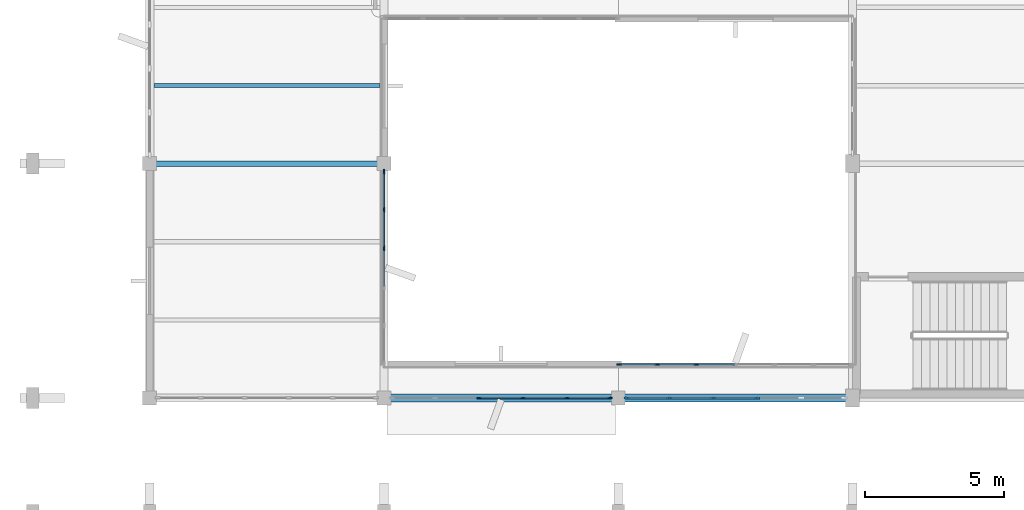
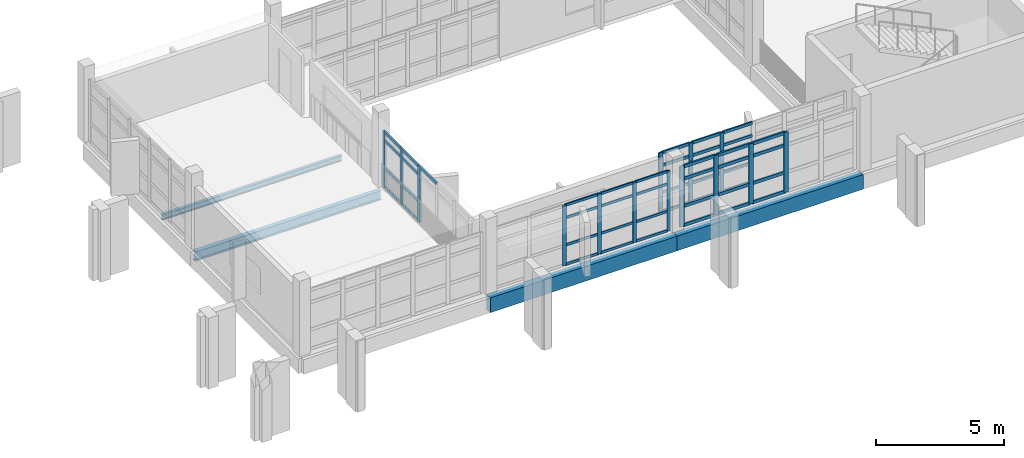
# One storey, part 7 of 104: 59 members, 4 beams, 4 elements without a shape of their own.
"""IFC4 building model written with IfcOpenShell, lengths in metres."""

from ifc_helpers import new_model, si_unit, direction, frame, origin, origin_2d, place, context, subcontext, project, spatial, rectangle, i_section, extrude, material, material_profile, profile_set, type_object, element, aggregate, save


model = new_model("IFC4")

# Units and contexts
model_context = context("Model", 3, precision=1e-05, world=origin(), true_north=direction((0.0, 1.0)))
body_context = subcontext(model_context, "Body", "Model", "MODEL_VIEW")
ifc_project = project(units=[si_unit("LENGTHUNIT", "METRE"), si_unit("AREAUNIT", "SQUARE_METRE"), si_unit("VOLUMEUNIT", "CUBIC_METRE"), si_unit("PLANEANGLEUNIT", "RADIAN"), si_unit("MASSUNIT", "GRAM", prefix="KILO")], contexts=[model_context])

# Site, building, storey
site_placement = place(None, origin())
site = spatial("IfcSite", under=ifc_project, at=site_placement, CompositionType="ELEMENT")
building_placement = place(site_placement, origin())
building = spatial("IfcBuilding", under=site, at=building_placement, Name="Vanh Quang Courtyard School", CompositionType="ELEMENT")
storey_placement = place(building_placement, frame((0.0, 0.0, 4.199951171875)))
storey = spatial("IfcBuildingStorey", under=building, at=storey_placement, Name="L01", CompositionType="ELEMENT", Elevation=4.199951171875)

# Beams
ifc_material_1 = material(Name="Concrete C35/45", Category="concrete")
ifc_material_profile_1 = material_profile(ifc_material_1, rectangle(XDim=0.300048828125, YDim=0.699951171875, at=origin_2d()), Name="RC-SP 300x700")
ifc_profile_set_1 = profile_set([ifc_material_profile_1], Name="Concrete C35/45")
beam_type_1 = type_object("IfcBeamType", Name="BM-SP-300x700", PredefinedType="SPANDREL", material=ifc_profile_set_1)
for number, where, z_axis, x_axis, name in (
    (1, (12.60009765625, 4.199951171875, -0.6298828125), (1.0, 0.0, 0.0), (0.0, 1.0, 0.0), "Beam BS-01 (L01)"),
    (2, (21.0, 4.199951171875, -0.6298828125), (1.0, 0.0, 0.0), (0.0, 1.0, 0.0), "Beam BS-01 (L01)"),
):
    element("IfcBeam", number, at=place(storey_placement, frame(where, z_axis=z_axis, x_axis=x_axis)), inside=storey, type_object=beam_type_1, Name=name, PredefinedType="SPANDREL", context=body_context, shape_type="SweptSolid", body=[
        extrude(rectangle(XDim=0.300048828125, YDim=0.699951171875, at=origin_2d()), origin(), (0.0, 0.0, 1.0), 8.39990234375),
    ])
ifc_material_2 = material(Name="Structural steel EN 10025-2 S355J2", Category="steel")
ifc_material_profile_2 = material_profile(ifc_material_2, i_section(OverallWidth=0.18994140625, OverallDepth=0.449951171875, WebThickness=0.009521484375, FlangeThickness=0.0146484375, FilletRadius=0.02099609375, at=origin_2d()), Name="IPE 450")
ifc_profile_set_2 = profile_set([ifc_material_profile_2], Name="Structural steel EN 10025-2 S355J2")
beam_type_2 = type_object("IfcBeamType", Name="BM-STL-IPE450", PredefinedType="BEAM", material=ifc_profile_set_2)
beam_1_placement = place(storey_placement, frame((4.199951171875, 12.60009765625, -0.5048828125), z_axis=(1.0, 0.0, 0.0), x_axis=(0.0, 1.0, 0.0)))
element("IfcBeam", 3, at=beam_1_placement, inside=storey, type_object=beam_type_2, Name="Beam SB-04 (L01)", PredefinedType="BEAM", context=body_context, shape_type="SweptSolid", body=[
    extrude(i_section(OverallWidth=0.18994140625, OverallDepth=0.449951171875, WebThickness=0.009521484375, FlangeThickness=0.0146484375, FilletRadius=0.02099609375, at=origin_2d()), origin(), (0.0, 0.0, 1.0), 8.400146484375),
])

# Curtain wall, members
ifc_material_3 = material(Name="Thermally broken aluminium unitised curtain wall", Category="aluminium")
curtain_wall_type_1 = type_object("IfcCurtainWallType", Name="CW-SYS-29", PredefinedType="NOTDEFINED", material=ifc_material_3)
curtain_wall_1_placement = place(storey_placement, origin())
curtain_wall_1 = element("IfcCurtainWall", 4, at=curtain_wall_1_placement, inside=storey, type_object=curtain_wall_type_1, Name="Curtain Wall CW-29 (L01)", PredefinedType="NOTDEFINED")
ifc_material_4 = material(Name="Anodised aluminium 6063-T6", Category="aluminium")
ifc_material_profile_3 = material_profile(ifc_material_4, rectangle(XDim=0.06005859375, YDim=0.159912109375, at=origin_2d()), Name="ALU-MUL 60x160")
ifc_profile_set_3 = profile_set([ifc_material_profile_3], Name="Anodised aluminium 6063-T6")
member_type_1 = type_object("IfcMemberType", Name="CW-MUL-60x160", PredefinedType="MULLION", material=ifc_profile_set_3)
member_1_placement = place(storey_placement, frame((20.7119140625, 4.199951171875, 0.0), z_axis=(0.0, 0.0, 1.0), x_axis=(0.0, -1.0, 0.0)))
member_1 = element("IfcMember", 5, at=member_1_placement, type_object=member_type_1, Name="CW-29 mullion 1", PredefinedType="MULLION", context=body_context, shape_type="SweptSolid", body=[
    extrude(rectangle(XDim=0.06005859375, YDim=0.159912109375, at=origin_2d()), origin(), (0.0, 0.0, 1.0), 2.8701171875),
])
member_2_placement = place(storey_placement, frame((19.165283203125, 4.199951171875, 0.0), z_axis=(0.0, 0.0, 1.0), x_axis=(0.0, -1.0, 0.0)))
member_2 = element("IfcMember", 6, at=member_2_placement, type_object=member_type_1, Name="CW-29 mullion 2", PredefinedType="MULLION", context=body_context, shape_type="SweptSolid", body=[
    extrude(rectangle(XDim=0.06005859375, YDim=0.159912109375, at=origin_2d()), origin(), (0.0, 0.0, 1.0), 2.8701171875),
])
member_3_placement = place(storey_placement, frame((17.58837890625, 4.199951171875, 0.0), z_axis=(0.0, 0.0, 1.0), x_axis=(0.0, -1.0, 0.0)))
member_3 = element("IfcMember", 7, at=member_3_placement, type_object=member_type_1, Name="CW-29 mullion 3", PredefinedType="MULLION", context=body_context, shape_type="SweptSolid", body=[
    extrude(rectangle(XDim=0.06005859375, YDim=0.159912109375, at=origin_2d()), origin(), (0.0, 0.0, 1.0), 2.8701171875),
])
member_4_placement = place(storey_placement, frame((16.01171875, 4.199951171875, 0.0), z_axis=(0.0, 0.0, 1.0), x_axis=(0.0, -1.0, 0.0)))
member_4 = element("IfcMember", 8, at=member_4_placement, type_object=member_type_1, Name="CW-29 mullion 4", PredefinedType="MULLION", context=body_context, shape_type="SweptSolid", body=[
    extrude(rectangle(XDim=0.06005859375, YDim=0.159912109375, at=origin_2d()), origin(), (0.0, 0.0, 1.0), 2.8701171875),
])

curtain_wall_type_2 = type_object("IfcCurtainWallType", Name="CW-SYS-31", PredefinedType="NOTDEFINED", material=ifc_material_3)
curtain_wall_2_placement = place(storey_placement, origin())
curtain_wall_2 = element("IfcCurtainWall", 9, at=curtain_wall_2_placement, inside=storey, type_object=curtain_wall_type_2, Name="Curtain Wall CW-31 (L01)", PredefinedType="NOTDEFINED")
ifc_material_profile_4 = material_profile(ifc_material_4, rectangle(XDim=0.070068359375, YDim=0.179931640625, at=origin_2d()), Name="ALU-MUL 70x180")
ifc_profile_set_4 = profile_set([ifc_material_profile_4], Name="Anodised aluminium 6063-T6")
member_type_2 = type_object("IfcMemberType", Name="CW-MUL-70x180", PredefinedType="MULLION", material=ifc_profile_set_4)
member_5_placement = place(storey_placement, frame((21.034912109375, 5.39990234375, 0.0), z_axis=(0.0, 0.0, 1.0), x_axis=(0.0, 1.0, 0.0)))
member_5 = element("IfcMember", 10, at=member_5_placement, type_object=member_type_2, Name="CW-31 mullion 1", PredefinedType="MULLION", context=body_context, shape_type="SweptSolid", body=[
    extrude(rectangle(XDim=0.070068359375, YDim=0.179931640625, at=origin_2d()), origin(), (0.0, 0.0, 1.0), 2.880126953125),
])
member_6_placement = place(storey_placement, frame((22.39990234375, 5.39990234375, 0.0), z_axis=(0.0, 0.0, 1.0), x_axis=(0.0, 1.0, 0.0)))
member_6 = element("IfcMember", 11, at=member_6_placement, type_object=member_type_2, Name="CW-31 mullion 2", PredefinedType="MULLION", context=body_context, shape_type="SweptSolid", body=[
    extrude(rectangle(XDim=0.070068359375, YDim=0.179931640625, at=origin_2d()), origin(), (0.0, 0.0, 1.0), 2.880126953125),
])
member_7_placement = place(storey_placement, frame((23.800048828125, 5.39990234375, 0.0), z_axis=(0.0, 0.0, 1.0), x_axis=(0.0, 1.0, 0.0)))
member_7 = element("IfcMember", 12, at=member_7_placement, type_object=member_type_2, Name="CW-31 mullion 3", PredefinedType="MULLION", context=body_context, shape_type="SweptSolid", body=[
    extrude(rectangle(XDim=0.070068359375, YDim=0.179931640625, at=origin_2d()), origin(), (0.0, 0.0, 1.0), 2.880126953125),
])

curtain_wall_type_3 = type_object("IfcCurtainWallType", Name="CW-SYS-34", PredefinedType="NOTDEFINED", material=ifc_material_3)
curtain_wall_3_placement = place(storey_placement, origin())
curtain_wall_3 = element("IfcCurtainWall", 13, at=curtain_wall_3_placement, inside=storey, type_object=curtain_wall_type_3, Name="Curtain Wall CW-34 (L01)", PredefinedType="NOTDEFINED")
member_8_placement = place(storey_placement, frame((12.60009765625, 12.306884765625, 0.0), z_axis=(0.0, 0.0, 1.0), x_axis=(1.0, 0.0, 0.0)))
member_8 = element("IfcMember", 14, at=member_8_placement, type_object=member_type_2, Name="CW-34 mullion 1", PredefinedType="MULLION", context=body_context, shape_type="SweptSolid", body=[
    extrude(rectangle(XDim=0.070068359375, YDim=0.179931640625, at=origin_2d()), origin(), (0.0, 0.0, 1.0), 2.670166015625),
])
member_9_placement = place(storey_placement, frame((12.60009765625, 10.95361328125, 0.0), z_axis=(0.0, 0.0, 1.0), x_axis=(1.0, 0.0, 0.0)))
member_9 = element("IfcMember", 15, at=member_9_placement, type_object=member_type_2, Name="CW-34 mullion 2", PredefinedType="MULLION", context=body_context, shape_type="SweptSolid", body=[
    extrude(rectangle(XDim=0.070068359375, YDim=0.179931640625, at=origin_2d()), origin(), (0.0, 0.0, 1.0), 2.670166015625),
])
member_10_placement = place(storey_placement, frame((12.60009765625, 9.565185546875, 0.0), z_axis=(0.0, 0.0, 1.0), x_axis=(1.0, 0.0, 0.0)))
member_10 = element("IfcMember", 16, at=member_10_placement, type_object=member_type_2, Name="CW-34 mullion 3", PredefinedType="MULLION", context=body_context, shape_type="SweptSolid", body=[
    extrude(rectangle(XDim=0.070068359375, YDim=0.179931640625, at=origin_2d()), origin(), (0.0, 0.0, 1.0), 2.670166015625),
])

curtain_wall_4_placement = place(storey_placement, origin())
curtain_wall_4 = element("IfcCurtainWall", 17, at=curtain_wall_4_placement, inside=storey, type_object=curtain_wall_type_1, Name="Curtain Wall CW-29 (L01)", PredefinedType="NOTDEFINED")
ifc_material_profile_5 = material_profile(ifc_material_4, rectangle(XDim=0.080078125, YDim=0.199951171875, at=origin_2d()), Name="ALU-MUL 80x200")
ifc_profile_set_5 = profile_set([ifc_material_profile_5], Name="Anodised aluminium 6063-T6")
member_type_3 = type_object("IfcMemberType", Name="CW-MUL-80x200", PredefinedType="MULLION", material=ifc_profile_set_5)
member_11_placement = place(storey_placement, frame((25.98828125, 4.199951171875, 0.0), z_axis=(0.0, 0.0, 1.0), x_axis=(0.0, -1.0, 0.0)))
member_11 = element("IfcMember", 18, at=member_11_placement, type_object=member_type_3, Name="CW-29 mullion 3", PredefinedType="MULLION", context=body_context, shape_type="SweptSolid", body=[
    extrude(rectangle(XDim=0.080078125, YDim=0.199951171875, at=origin_2d()), origin(), (0.0, 0.0, 1.0), 2.8701171875),
])
member_12_placement = place(storey_placement, frame((24.41162109375, 4.199951171875, 0.0), z_axis=(0.0, 0.0, 1.0), x_axis=(0.0, -1.0, 0.0)))
member_12 = element("IfcMember", 19, at=member_12_placement, type_object=member_type_3, Name="CW-29 mullion 4", PredefinedType="MULLION", context=body_context, shape_type="SweptSolid", body=[
    extrude(rectangle(XDim=0.080078125, YDim=0.199951171875, at=origin_2d()), origin(), (0.0, 0.0, 1.0), 2.8701171875),
])
member_13_placement = place(storey_placement, frame((22.834716796875, 4.199951171875, 0.0), z_axis=(0.0, 0.0, 1.0), x_axis=(0.0, -1.0, 0.0)))
member_13 = element("IfcMember", 20, at=member_13_placement, type_object=member_type_3, Name="CW-29 mullion 5", PredefinedType="MULLION", context=body_context, shape_type="SweptSolid", body=[
    extrude(rectangle(XDim=0.080078125, YDim=0.199951171875, at=origin_2d()), origin(), (0.0, 0.0, 1.0), 2.8701171875),
])
member_14_placement = place(storey_placement, frame((21.298095703125, 4.199951171875, 0.0), z_axis=(0.0, 0.0, 1.0), x_axis=(0.0, -1.0, 0.0)))
member_14 = element("IfcMember", 21, at=member_14_placement, type_object=member_type_3, Name="CW-29 mullion 6", PredefinedType="MULLION", context=body_context, shape_type="SweptSolid", body=[
    extrude(rectangle(XDim=0.080078125, YDim=0.199951171875, at=origin_2d()), origin(), (0.0, 0.0, 1.0), 2.8701171875),
])

# Member
ifc_material_profile_6 = material_profile(ifc_material_4, rectangle(XDim=0.06005859375, YDim=0.1201171875, at=origin_2d()), Name="ALU-TRN 60x120")
ifc_profile_set_6 = profile_set([ifc_material_profile_6], Name="Anodised aluminium 6063-T6")
member_type_4 = type_object("IfcMemberType", Name="CW-TRN-60x120", PredefinedType="USERDEFINED", material=ifc_profile_set_6)
member_15_placement = place(storey_placement, frame((20.681884765625, 4.199951171875, 0.030029296875), z_axis=(-1.0, 0.0, 0.0), x_axis=(0.0, -1.0, 0.0)))
member_15 = element("IfcMember", 22, at=member_15_placement, type_object=member_type_4, Name="CW-29 transom 1.1", ObjectType="TRANSOM", PredefinedType="USERDEFINED", context=body_context, shape_type="SweptSolid", body=[
    extrude(rectangle(XDim=0.06005859375, YDim=0.1201171875, at=origin_2d()), origin(), (0.0, 0.0, 1.0), 1.486572265625),
])

member_16_placement = place(storey_placement, frame((20.681884765625, 4.199951171875, 0.949951171875), z_axis=(-1.0, 0.0, 0.0), x_axis=(0.0, -1.0, 0.0)))
member_16 = element("IfcMember", 23, at=member_16_placement, type_object=member_type_4, Name="CW-29 transom 1.2", ObjectType="TRANSOM", PredefinedType="USERDEFINED", context=body_context, shape_type="SweptSolid", body=[
    extrude(rectangle(XDim=0.06005859375, YDim=0.1201171875, at=origin_2d()), origin(), (0.0, 0.0, 1.0), 1.486572265625),
])

member_17_placement = place(storey_placement, frame((20.681884765625, 4.199951171875, 2.25), z_axis=(-1.0, 0.0, 0.0), x_axis=(0.0, -1.0, 0.0)))
member_17 = element("IfcMember", 24, at=member_17_placement, type_object=member_type_4, Name="CW-29 transom 1.3", ObjectType="TRANSOM", PredefinedType="USERDEFINED", context=body_context, shape_type="SweptSolid", body=[
    extrude(rectangle(XDim=0.06005859375, YDim=0.1201171875, at=origin_2d()), origin(), (0.0, 0.0, 1.0), 1.486572265625),
])

member_18_placement = place(storey_placement, frame((20.681884765625, 4.199951171875, 2.840087890625), z_axis=(-1.0, 0.0, 0.0), x_axis=(0.0, -1.0, 0.0)))
member_18 = element("IfcMember", 25, at=member_18_placement, type_object=member_type_4, Name="CW-29 transom 1.4", ObjectType="TRANSOM", PredefinedType="USERDEFINED", context=body_context, shape_type="SweptSolid", body=[
    extrude(rectangle(XDim=0.06005859375, YDim=0.1201171875, at=origin_2d()), origin(), (0.0, 0.0, 1.0), 1.486572265625),
])

member_19_placement = place(storey_placement, frame((19.13525390625, 4.199951171875, 0.030029296875), z_axis=(-1.0, 0.0, 0.0), x_axis=(0.0, -1.0, 0.0)))
member_19 = element("IfcMember", 26, at=member_19_placement, type_object=member_type_4, Name="CW-29 transom 2.1", ObjectType="TRANSOM", PredefinedType="USERDEFINED", context=body_context, shape_type="SweptSolid", body=[
    extrude(rectangle(XDim=0.06005859375, YDim=0.1201171875, at=origin_2d()), origin(), (0.0, 0.0, 1.0), 1.516845703125),
])

member_20_placement = place(storey_placement, frame((19.13525390625, 4.199951171875, 0.949951171875), z_axis=(-1.0, 0.0, 0.0), x_axis=(0.0, -1.0, 0.0)))
member_20 = element("IfcMember", 27, at=member_20_placement, type_object=member_type_4, Name="CW-29 transom 2.2", ObjectType="TRANSOM", PredefinedType="USERDEFINED", context=body_context, shape_type="SweptSolid", body=[
    extrude(rectangle(XDim=0.06005859375, YDim=0.1201171875, at=origin_2d()), origin(), (0.0, 0.0, 1.0), 1.516845703125),
])

member_21_placement = place(storey_placement, frame((19.13525390625, 4.199951171875, 2.25), z_axis=(-1.0, 0.0, 0.0), x_axis=(0.0, -1.0, 0.0)))
member_21 = element("IfcMember", 28, at=member_21_placement, type_object=member_type_4, Name="CW-29 transom 2.3", ObjectType="TRANSOM", PredefinedType="USERDEFINED", context=body_context, shape_type="SweptSolid", body=[
    extrude(rectangle(XDim=0.06005859375, YDim=0.1201171875, at=origin_2d()), origin(), (0.0, 0.0, 1.0), 1.516845703125),
])

member_22_placement = place(storey_placement, frame((19.13525390625, 4.199951171875, 2.840087890625), z_axis=(-1.0, 0.0, 0.0), x_axis=(0.0, -1.0, 0.0)))
member_22 = element("IfcMember", 29, at=member_22_placement, type_object=member_type_4, Name="CW-29 transom 2.4", ObjectType="TRANSOM", PredefinedType="USERDEFINED", context=body_context, shape_type="SweptSolid", body=[
    extrude(rectangle(XDim=0.06005859375, YDim=0.1201171875, at=origin_2d()), origin(), (0.0, 0.0, 1.0), 1.516845703125),
])

member_23_placement = place(storey_placement, frame((17.558349609375, 4.199951171875, 0.030029296875), z_axis=(-1.0, 0.0, 0.0), x_axis=(0.0, -1.0, 0.0)))
member_23 = element("IfcMember", 30, at=member_23_placement, type_object=member_type_4, Name="CW-29 transom 3.1", ObjectType="TRANSOM", PredefinedType="USERDEFINED", context=body_context, shape_type="SweptSolid", body=[
    extrude(rectangle(XDim=0.06005859375, YDim=0.1201171875, at=origin_2d()), origin(), (0.0, 0.0, 1.0), 1.516845703125),
])

member_24_placement = place(storey_placement, frame((17.558349609375, 4.199951171875, 0.949951171875), z_axis=(-1.0, 0.0, 0.0), x_axis=(0.0, -1.0, 0.0)))
member_24 = element("IfcMember", 31, at=member_24_placement, type_object=member_type_4, Name="CW-29 transom 3.2", ObjectType="TRANSOM", PredefinedType="USERDEFINED", context=body_context, shape_type="SweptSolid", body=[
    extrude(rectangle(XDim=0.06005859375, YDim=0.1201171875, at=origin_2d()), origin(), (0.0, 0.0, 1.0), 1.516845703125),
])

member_25_placement = place(storey_placement, frame((17.558349609375, 4.199951171875, 2.25), z_axis=(-1.0, 0.0, 0.0), x_axis=(0.0, -1.0, 0.0)))
member_25 = element("IfcMember", 32, at=member_25_placement, type_object=member_type_4, Name="CW-29 transom 3.3", ObjectType="TRANSOM", PredefinedType="USERDEFINED", context=body_context, shape_type="SweptSolid", body=[
    extrude(rectangle(XDim=0.06005859375, YDim=0.1201171875, at=origin_2d()), origin(), (0.0, 0.0, 1.0), 1.516845703125),
])

member_26_placement = place(storey_placement, frame((17.558349609375, 4.199951171875, 2.840087890625), z_axis=(-1.0, 0.0, 0.0), x_axis=(0.0, -1.0, 0.0)))
member_26 = element("IfcMember", 33, at=member_26_placement, type_object=member_type_4, Name="CW-29 transom 3.4", ObjectType="TRANSOM", PredefinedType="USERDEFINED", context=body_context, shape_type="SweptSolid", body=[
    extrude(rectangle(XDim=0.06005859375, YDim=0.1201171875, at=origin_2d()), origin(), (0.0, 0.0, 1.0), 1.516845703125),
])

aggregate(curtain_wall_1, [member_1, member_2, member_3, member_4, member_15, member_16, member_17, member_18, member_19, member_20, member_21, member_22, member_23, member_24, member_25, member_26])

ifc_material_profile_7 = material_profile(ifc_material_4, rectangle(XDim=0.070068359375, YDim=0.139892578125, at=origin_2d()), Name="ALU-TRN 70x140")
ifc_profile_set_7 = profile_set([ifc_material_profile_7], Name="Anodised aluminium 6063-T6")
member_type_5 = type_object("IfcMemberType", Name="CW-TRN-70x140", PredefinedType="USERDEFINED", material=ifc_profile_set_7)
member_27_placement = place(storey_placement, frame((21.070068359375, 5.39990234375, 0.03515625), z_axis=(1.0, 0.0, 0.0), x_axis=(0.0, 1.0, 0.0)))
member_27 = element("IfcMember", 34, at=member_27_placement, type_object=member_type_5, Name="CW-31 transom 1.1", ObjectType="TRANSOM", PredefinedType="USERDEFINED", context=body_context, shape_type="SweptSolid", body=[
    extrude(rectangle(XDim=0.070068359375, YDim=0.139892578125, at=origin_2d()), origin(), (0.0, 0.0, 1.0), 1.294921875),
])

member_28_placement = place(storey_placement, frame((21.070068359375, 5.39990234375, 0.949951171875), z_axis=(1.0, 0.0, 0.0), x_axis=(0.0, 1.0, 0.0)))
member_28 = element("IfcMember", 35, at=member_28_placement, type_object=member_type_5, Name="CW-31 transom 1.2", ObjectType="TRANSOM", PredefinedType="USERDEFINED", context=body_context, shape_type="SweptSolid", body=[
    extrude(rectangle(XDim=0.070068359375, YDim=0.139892578125, at=origin_2d()), origin(), (0.0, 0.0, 1.0), 1.294921875),
])

member_29_placement = place(storey_placement, frame((21.070068359375, 5.39990234375, 2.25), z_axis=(1.0, 0.0, 0.0), x_axis=(0.0, 1.0, 0.0)))
member_29 = element("IfcMember", 36, at=member_29_placement, type_object=member_type_5, Name="CW-31 transom 1.3", ObjectType="TRANSOM", PredefinedType="USERDEFINED", context=body_context, shape_type="SweptSolid", body=[
    extrude(rectangle(XDim=0.070068359375, YDim=0.139892578125, at=origin_2d()), origin(), (0.0, 0.0, 1.0), 1.294921875),
])

member_30_placement = place(storey_placement, frame((21.070068359375, 5.39990234375, 2.844970703125), z_axis=(1.0, 0.0, 0.0), x_axis=(0.0, 1.0, 0.0)))
member_30 = element("IfcMember", 37, at=member_30_placement, type_object=member_type_5, Name="CW-31 transom 1.4", ObjectType="TRANSOM", PredefinedType="USERDEFINED", context=body_context, shape_type="SweptSolid", body=[
    extrude(rectangle(XDim=0.070068359375, YDim=0.139892578125, at=origin_2d()), origin(), (0.0, 0.0, 1.0), 1.294921875),
])

member_31_placement = place(storey_placement, frame((22.43505859375, 5.39990234375, 0.03515625), z_axis=(1.0, 0.0, 0.0), x_axis=(0.0, 1.0, 0.0)))
member_31 = element("IfcMember", 38, at=member_31_placement, type_object=member_type_5, Name="CW-31 transom 2.1", ObjectType="TRANSOM", PredefinedType="USERDEFINED", context=body_context, shape_type="SweptSolid", body=[
    extrude(rectangle(XDim=0.070068359375, YDim=0.139892578125, at=origin_2d()), origin(), (0.0, 0.0, 1.0), 1.329833984375),
])

member_32_placement = place(storey_placement, frame((22.43505859375, 5.39990234375, 0.949951171875), z_axis=(1.0, 0.0, 0.0), x_axis=(0.0, 1.0, 0.0)))
member_32 = element("IfcMember", 39, at=member_32_placement, type_object=member_type_5, Name="CW-31 transom 2.2", ObjectType="TRANSOM", PredefinedType="USERDEFINED", context=body_context, shape_type="SweptSolid", body=[
    extrude(rectangle(XDim=0.070068359375, YDim=0.139892578125, at=origin_2d()), origin(), (0.0, 0.0, 1.0), 1.329833984375),
])

member_33_placement = place(storey_placement, frame((22.43505859375, 5.39990234375, 2.25), z_axis=(1.0, 0.0, 0.0), x_axis=(0.0, 1.0, 0.0)))
member_33 = element("IfcMember", 40, at=member_33_placement, type_object=member_type_5, Name="CW-31 transom 2.3", ObjectType="TRANSOM", PredefinedType="USERDEFINED", context=body_context, shape_type="SweptSolid", body=[
    extrude(rectangle(XDim=0.070068359375, YDim=0.139892578125, at=origin_2d()), origin(), (0.0, 0.0, 1.0), 1.329833984375),
])

member_34_placement = place(storey_placement, frame((22.43505859375, 5.39990234375, 2.844970703125), z_axis=(1.0, 0.0, 0.0), x_axis=(0.0, 1.0, 0.0)))
member_34 = element("IfcMember", 41, at=member_34_placement, type_object=member_type_5, Name="CW-31 transom 2.4", ObjectType="TRANSOM", PredefinedType="USERDEFINED", context=body_context, shape_type="SweptSolid", body=[
    extrude(rectangle(XDim=0.070068359375, YDim=0.139892578125, at=origin_2d()), origin(), (0.0, 0.0, 1.0), 1.329833984375),
])

member_35_placement = place(storey_placement, frame((23.8349609375, 5.39990234375, 0.03515625), z_axis=(1.0, 0.0, 0.0), x_axis=(0.0, 1.0, 0.0)))
member_35 = element("IfcMember", 42, at=member_35_placement, type_object=member_type_5, Name="CW-31 transom 3.1", ObjectType="TRANSOM", PredefinedType="USERDEFINED", context=body_context, shape_type="SweptSolid", body=[
    extrude(rectangle(XDim=0.070068359375, YDim=0.139892578125, at=origin_2d()), origin(), (0.0, 0.0, 1.0), 1.330078125),
])

member_36_placement = place(storey_placement, frame((23.8349609375, 5.39990234375, 0.949951171875), z_axis=(1.0, 0.0, 0.0), x_axis=(0.0, 1.0, 0.0)))
member_36 = element("IfcMember", 43, at=member_36_placement, type_object=member_type_5, Name="CW-31 transom 3.2", ObjectType="TRANSOM", PredefinedType="USERDEFINED", context=body_context, shape_type="SweptSolid", body=[
    extrude(rectangle(XDim=0.070068359375, YDim=0.139892578125, at=origin_2d()), origin(), (0.0, 0.0, 1.0), 1.330078125),
])

member_37_placement = place(storey_placement, frame((23.8349609375, 5.39990234375, 2.25), z_axis=(1.0, 0.0, 0.0), x_axis=(0.0, 1.0, 0.0)))
member_37 = element("IfcMember", 44, at=member_37_placement, type_object=member_type_5, Name="CW-31 transom 3.3", ObjectType="TRANSOM", PredefinedType="USERDEFINED", context=body_context, shape_type="SweptSolid", body=[
    extrude(rectangle(XDim=0.070068359375, YDim=0.139892578125, at=origin_2d()), origin(), (0.0, 0.0, 1.0), 1.330078125),
])

member_38_placement = place(storey_placement, frame((23.8349609375, 5.39990234375, 2.844970703125), z_axis=(1.0, 0.0, 0.0), x_axis=(0.0, 1.0, 0.0)))
member_38 = element("IfcMember", 45, at=member_38_placement, type_object=member_type_5, Name="CW-31 transom 3.4", ObjectType="TRANSOM", PredefinedType="USERDEFINED", context=body_context, shape_type="SweptSolid", body=[
    extrude(rectangle(XDim=0.070068359375, YDim=0.139892578125, at=origin_2d()), origin(), (0.0, 0.0, 1.0), 1.330078125),
])

aggregate(curtain_wall_2, [member_5, member_6, member_7, member_27, member_28, member_29, member_30, member_31, member_32, member_33, member_34, member_35, member_36, member_37, member_38])

member_39_placement = place(storey_placement, frame((12.60009765625, 12.27197265625, 0.03515625), z_axis=(0.0, -1.0, 0.0), x_axis=(1.0, 0.0, 0.0)))
member_39 = element("IfcMember", 46, at=member_39_placement, type_object=member_type_5, Name="CW-34 transom 1.1", ObjectType="TRANSOM", PredefinedType="USERDEFINED", context=body_context, shape_type="SweptSolid", body=[
    extrude(rectangle(XDim=0.070068359375, YDim=0.139892578125, at=origin_2d()), origin(), (0.0, 0.0, 1.0), 1.283447265625),
])

member_40_placement = place(storey_placement, frame((12.60009765625, 12.27197265625, 0.949951171875), z_axis=(0.0, -1.0, 0.0), x_axis=(1.0, 0.0, 0.0)))
member_40 = element("IfcMember", 47, at=member_40_placement, type_object=member_type_5, Name="CW-34 transom 1.2", ObjectType="TRANSOM", PredefinedType="USERDEFINED", context=body_context, shape_type="SweptSolid", body=[
    extrude(rectangle(XDim=0.070068359375, YDim=0.139892578125, at=origin_2d()), origin(), (0.0, 0.0, 1.0), 1.283447265625),
])

member_41_placement = place(storey_placement, frame((12.60009765625, 12.27197265625, 2.25), z_axis=(0.0, -1.0, 0.0), x_axis=(1.0, 0.0, 0.0)))
member_41 = element("IfcMember", 48, at=member_41_placement, type_object=member_type_5, Name="CW-34 transom 1.3", ObjectType="TRANSOM", PredefinedType="USERDEFINED", context=body_context, shape_type="SweptSolid", body=[
    extrude(rectangle(XDim=0.070068359375, YDim=0.139892578125, at=origin_2d()), origin(), (0.0, 0.0, 1.0), 1.283447265625),
])

member_42_placement = place(storey_placement, frame((12.60009765625, 12.27197265625, 2.635009765625), z_axis=(0.0, -1.0, 0.0), x_axis=(1.0, 0.0, 0.0)))
member_42 = element("IfcMember", 49, at=member_42_placement, type_object=member_type_5, Name="CW-34 transom 1.4", ObjectType="TRANSOM", PredefinedType="USERDEFINED", context=body_context, shape_type="SweptSolid", body=[
    extrude(rectangle(XDim=0.070068359375, YDim=0.139892578125, at=origin_2d()), origin(), (0.0, 0.0, 1.0), 1.283447265625),
])

member_43_placement = place(storey_placement, frame((12.60009765625, 10.918701171875, 0.03515625), z_axis=(0.0, -1.0, 0.0), x_axis=(1.0, 0.0, 0.0)))
member_43 = element("IfcMember", 50, at=member_43_placement, type_object=member_type_5, Name="CW-34 transom 2.1", ObjectType="TRANSOM", PredefinedType="USERDEFINED", context=body_context, shape_type="SweptSolid", body=[
    extrude(rectangle(XDim=0.070068359375, YDim=0.139892578125, at=origin_2d()), origin(), (0.0, 0.0, 1.0), 1.318603515625),
])

member_44_placement = place(storey_placement, frame((12.60009765625, 10.918701171875, 0.949951171875), z_axis=(0.0, -1.0, 0.0), x_axis=(1.0, 0.0, 0.0)))
member_44 = element("IfcMember", 51, at=member_44_placement, type_object=member_type_5, Name="CW-34 transom 2.2", ObjectType="TRANSOM", PredefinedType="USERDEFINED", context=body_context, shape_type="SweptSolid", body=[
    extrude(rectangle(XDim=0.070068359375, YDim=0.139892578125, at=origin_2d()), origin(), (0.0, 0.0, 1.0), 1.318603515625),
])

member_45_placement = place(storey_placement, frame((12.60009765625, 10.918701171875, 2.25), z_axis=(0.0, -1.0, 0.0), x_axis=(1.0, 0.0, 0.0)))
member_45 = element("IfcMember", 52, at=member_45_placement, type_object=member_type_5, Name="CW-34 transom 2.3", ObjectType="TRANSOM", PredefinedType="USERDEFINED", context=body_context, shape_type="SweptSolid", body=[
    extrude(rectangle(XDim=0.070068359375, YDim=0.139892578125, at=origin_2d()), origin(), (0.0, 0.0, 1.0), 1.318603515625),
])

member_46_placement = place(storey_placement, frame((12.60009765625, 10.918701171875, 2.635009765625), z_axis=(0.0, -1.0, 0.0), x_axis=(1.0, 0.0, 0.0)))
member_46 = element("IfcMember", 53, at=member_46_placement, type_object=member_type_5, Name="CW-34 transom 2.4", ObjectType="TRANSOM", PredefinedType="USERDEFINED", context=body_context, shape_type="SweptSolid", body=[
    extrude(rectangle(XDim=0.070068359375, YDim=0.139892578125, at=origin_2d()), origin(), (0.0, 0.0, 1.0), 1.318603515625),
])

member_47_placement = place(storey_placement, frame((12.60009765625, 9.5302734375, 2.635009765625), z_axis=(0.0, -1.0, 0.0), x_axis=(1.0, 0.0, 0.0)))
member_47 = element("IfcMember", 54, at=member_47_placement, type_object=member_type_5, Name="CW-34 transom 3.4", ObjectType="TRANSOM", PredefinedType="USERDEFINED", context=body_context, shape_type="SweptSolid", body=[
    extrude(rectangle(XDim=0.070068359375, YDim=0.139892578125, at=origin_2d()), origin(), (0.0, 0.0, 1.0), 1.318359375),
])

aggregate(curtain_wall_3, [member_8, member_9, member_10, member_39, member_40, member_41, member_42, member_43, member_44, member_45, member_46, member_47])

ifc_material_profile_8 = material_profile(ifc_material_4, rectangle(XDim=0.080078125, YDim=0.14990234375, at=origin_2d()), Name="ALU-TRN 80x150")
ifc_profile_set_8 = profile_set([ifc_material_profile_8], Name="Anodised aluminium 6063-T6")
member_type_6 = type_object("IfcMemberType", Name="CW-TRN-80x150", PredefinedType="USERDEFINED", material=ifc_profile_set_8)
member_48_placement = place(storey_placement, frame((25.948486328125, 4.199951171875, 0.0400390625), z_axis=(-1.0, 0.0, 0.0), x_axis=(0.0, -1.0, 0.0)))
member_48 = element("IfcMember", 55, at=member_48_placement, type_object=member_type_6, Name="CW-29 transom 3.1", ObjectType="TRANSOM", PredefinedType="USERDEFINED", context=body_context, shape_type="SweptSolid", body=[
    extrude(rectangle(XDim=0.080078125, YDim=0.14990234375, at=origin_2d()), origin(), (0.0, 0.0, 1.0), 1.496826171875),
])

member_49_placement = place(storey_placement, frame((25.948486328125, 4.199951171875, 0.949951171875), z_axis=(-1.0, 0.0, 0.0), x_axis=(0.0, -1.0, 0.0)))
member_49 = element("IfcMember", 56, at=member_49_placement, type_object=member_type_6, Name="CW-29 transom 3.2", ObjectType="TRANSOM", PredefinedType="USERDEFINED", context=body_context, shape_type="SweptSolid", body=[
    extrude(rectangle(XDim=0.080078125, YDim=0.14990234375, at=origin_2d()), origin(), (0.0, 0.0, 1.0), 1.496826171875),
])

member_50_placement = place(storey_placement, frame((25.948486328125, 4.199951171875, 2.25), z_axis=(-1.0, 0.0, 0.0), x_axis=(0.0, -1.0, 0.0)))
member_50 = element("IfcMember", 57, at=member_50_placement, type_object=member_type_6, Name="CW-29 transom 3.3", ObjectType="TRANSOM", PredefinedType="USERDEFINED", context=body_context, shape_type="SweptSolid", body=[
    extrude(rectangle(XDim=0.080078125, YDim=0.14990234375, at=origin_2d()), origin(), (0.0, 0.0, 1.0), 1.496826171875),
])

member_51_placement = place(storey_placement, frame((25.948486328125, 4.199951171875, 2.830078125), z_axis=(-1.0, 0.0, 0.0), x_axis=(0.0, -1.0, 0.0)))
member_51 = element("IfcMember", 58, at=member_51_placement, type_object=member_type_6, Name="CW-29 transom 3.4", ObjectType="TRANSOM", PredefinedType="USERDEFINED", context=body_context, shape_type="SweptSolid", body=[
    extrude(rectangle(XDim=0.080078125, YDim=0.14990234375, at=origin_2d()), origin(), (0.0, 0.0, 1.0), 1.496826171875),
])

member_52_placement = place(storey_placement, frame((24.37158203125, 4.199951171875, 0.0400390625), z_axis=(-1.0, 0.0, 0.0), x_axis=(0.0, -1.0, 0.0)))
member_52 = element("IfcMember", 59, at=member_52_placement, type_object=member_type_6, Name="CW-29 transom 4.1", ObjectType="TRANSOM", PredefinedType="USERDEFINED", context=body_context, shape_type="SweptSolid", body=[
    extrude(rectangle(XDim=0.080078125, YDim=0.14990234375, at=origin_2d()), origin(), (0.0, 0.0, 1.0), 1.496826171875),
])

member_53_placement = place(storey_placement, frame((24.37158203125, 4.199951171875, 0.949951171875), z_axis=(-1.0, 0.0, 0.0), x_axis=(0.0, -1.0, 0.0)))
member_53 = element("IfcMember", 60, at=member_53_placement, type_object=member_type_6, Name="CW-29 transom 4.2", ObjectType="TRANSOM", PredefinedType="USERDEFINED", context=body_context, shape_type="SweptSolid", body=[
    extrude(rectangle(XDim=0.080078125, YDim=0.14990234375, at=origin_2d()), origin(), (0.0, 0.0, 1.0), 1.496826171875),
])

member_54_placement = place(storey_placement, frame((24.37158203125, 4.199951171875, 2.25), z_axis=(-1.0, 0.0, 0.0), x_axis=(0.0, -1.0, 0.0)))
member_54 = element("IfcMember", 61, at=member_54_placement, type_object=member_type_6, Name="CW-29 transom 4.3", ObjectType="TRANSOM", PredefinedType="USERDEFINED", context=body_context, shape_type="SweptSolid", body=[
    extrude(rectangle(XDim=0.080078125, YDim=0.14990234375, at=origin_2d()), origin(), (0.0, 0.0, 1.0), 1.496826171875),
])

member_55_placement = place(storey_placement, frame((24.37158203125, 4.199951171875, 2.830078125), z_axis=(-1.0, 0.0, 0.0), x_axis=(0.0, -1.0, 0.0)))
member_55 = element("IfcMember", 62, at=member_55_placement, type_object=member_type_6, Name="CW-29 transom 4.4", ObjectType="TRANSOM", PredefinedType="USERDEFINED", context=body_context, shape_type="SweptSolid", body=[
    extrude(rectangle(XDim=0.080078125, YDim=0.14990234375, at=origin_2d()), origin(), (0.0, 0.0, 1.0), 1.496826171875),
])

member_56_placement = place(storey_placement, frame((22.794921875, 4.199951171875, 0.0400390625), z_axis=(-1.0, 0.0, 0.0), x_axis=(0.0, -1.0, 0.0)))
member_56 = element("IfcMember", 63, at=member_56_placement, type_object=member_type_6, Name="CW-29 transom 5.1", ObjectType="TRANSOM", PredefinedType="USERDEFINED", context=body_context, shape_type="SweptSolid", body=[
    extrude(rectangle(XDim=0.080078125, YDim=0.14990234375, at=origin_2d()), origin(), (0.0, 0.0, 1.0), 1.45703125),
])

member_57_placement = place(storey_placement, frame((22.794921875, 4.199951171875, 0.949951171875), z_axis=(-1.0, 0.0, 0.0), x_axis=(0.0, -1.0, 0.0)))
member_57 = element("IfcMember", 64, at=member_57_placement, type_object=member_type_6, Name="CW-29 transom 5.2", ObjectType="TRANSOM", PredefinedType="USERDEFINED", context=body_context, shape_type="SweptSolid", body=[
    extrude(rectangle(XDim=0.080078125, YDim=0.14990234375, at=origin_2d()), origin(), (0.0, 0.0, 1.0), 1.45703125),
])

member_58_placement = place(storey_placement, frame((22.794921875, 4.199951171875, 2.25), z_axis=(-1.0, 0.0, 0.0), x_axis=(0.0, -1.0, 0.0)))
member_58 = element("IfcMember", 65, at=member_58_placement, type_object=member_type_6, Name="CW-29 transom 5.3", ObjectType="TRANSOM", PredefinedType="USERDEFINED", context=body_context, shape_type="SweptSolid", body=[
    extrude(rectangle(XDim=0.080078125, YDim=0.14990234375, at=origin_2d()), origin(), (0.0, 0.0, 1.0), 1.45703125),
])

member_59_placement = place(storey_placement, frame((22.794921875, 4.199951171875, 2.830078125), z_axis=(-1.0, 0.0, 0.0), x_axis=(0.0, -1.0, 0.0)))
member_59 = element("IfcMember", 66, at=member_59_placement, type_object=member_type_6, Name="CW-29 transom 5.4", ObjectType="TRANSOM", PredefinedType="USERDEFINED", context=body_context, shape_type="SweptSolid", body=[
    extrude(rectangle(XDim=0.080078125, YDim=0.14990234375, at=origin_2d()), origin(), (0.0, 0.0, 1.0), 1.45703125),
])

aggregate(curtain_wall_4, [member_11, member_12, member_13, member_14, member_48, member_49, member_50, member_51, member_52, member_53, member_54, member_55, member_56, member_57, member_58, member_59])

# Beam
ifc_material_profile_9 = material_profile(ifc_material_2, i_section(OverallWidth=0.135009765625, OverallDepth=0.27001953125, WebThickness=0.006591796875, FlangeThickness=0.01025390625, FilletRadius=0.014892578125, at=origin_2d()), Name="IPE 270")
ifc_profile_set_9 = profile_set([ifc_material_profile_9], Name="Structural steel EN 10025-2 S355J2")
beam_type_3 = type_object("IfcBeamType", Name="JST-STL-IPE270", PredefinedType="JOIST", material=ifc_profile_set_9)
beam_2_placement = place(storey_placement, frame((4.35009765625, 15.39990234375, -0.4150390625), z_axis=(1.0, 0.0, 0.0), x_axis=(0.0, 1.0, 0.0)))
element("IfcBeam", 67, at=beam_2_placement, inside=storey, type_object=beam_type_3, Name="Beam SJ-03 (L01)", PredefinedType="JOIST", context=body_context, shape_type="SweptSolid", body=[
    extrude(i_section(OverallWidth=0.135009765625, OverallDepth=0.27001953125, WebThickness=0.006591796875, FlangeThickness=0.01025390625, FilletRadius=0.014892578125, at=origin_2d()), origin(), (0.0, 0.0, 1.0), 8.099853515625),
])

save(model, "model.ifc")
